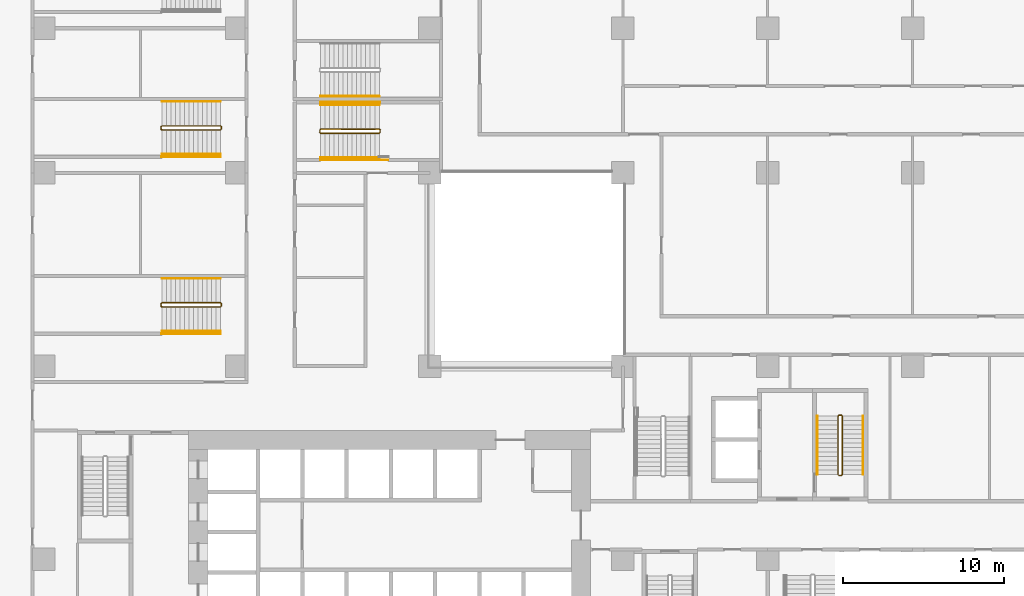
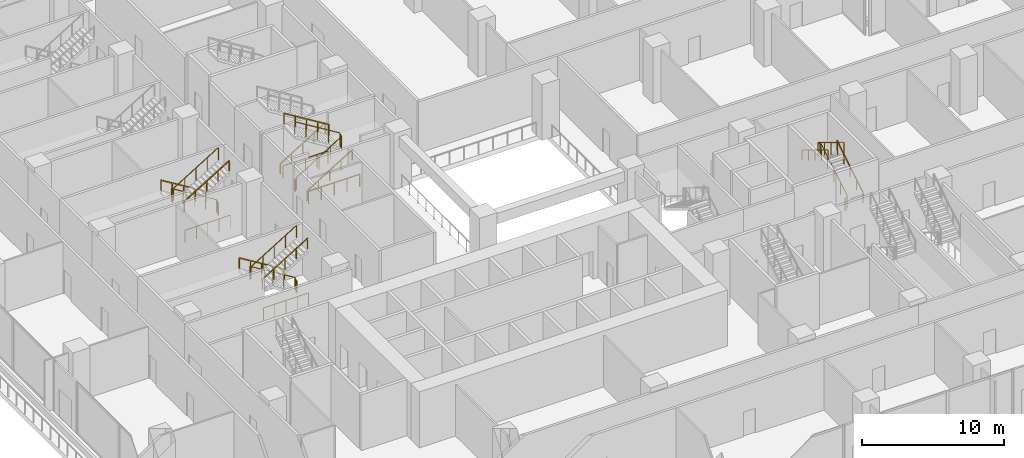
# One storey, part 25 of 31: 17 railings.
"""IFC4 building model written with IfcOpenShell, lengths in metres."""

from ifc_helpers import new_model, si_unit, direction, frame, origin, origin_2d, place, context, subcontext, project, spatial, rectangle, extrude, material, type_object, element, save


model = new_model("IFC4")

# Units and contexts
model_context = context("Model", 3, precision=1e-05, world=origin(), true_north=direction((0.0, 1.0)))
body_context = subcontext(model_context, "Body", "Model", "MODEL_VIEW")
ifc_project = project(units=[si_unit("LENGTHUNIT", "METRE"), si_unit("AREAUNIT", "SQUARE_METRE"), si_unit("VOLUMEUNIT", "CUBIC_METRE"), si_unit("PLANEANGLEUNIT", "RADIAN"), si_unit("MASSUNIT", "GRAM", prefix="KILO")], contexts=[model_context])

# Site, building, storey
site_placement = place(None, origin())
site = spatial("IfcSite", under=ifc_project, at=site_placement, CompositionType="ELEMENT")
building_placement = place(site_placement, origin())
building = spatial("IfcBuilding", under=site, at=building_placement, Name="Chenar Terraces", CompositionType="ELEMENT")
storey_placement = place(building_placement, frame((0.0, 0.0, 12.0)))
storey = spatial("IfcBuildingStorey", under=building, at=storey_placement, Name="L02", CompositionType="ELEMENT", Elevation=12.0)

# Railings
ifc_material_1 = material(Name="Powder-coated steel", Category="steel")
railing_type_1 = type_object("IfcRailingType", Name="Stair guard 1100", PredefinedType="GUARDRAIL", material=ifc_material_1)
railing_1_placement = place(storey_placement, frame((49.375, 17.25, 4.800048828125)))
element("IfcRailing", 1, at=railing_1_placement, inside=storey, type_object=railing_type_1, Name="L02 ST3 stair guard 1", PredefinedType="GUARDRAIL", context=body_context, shape_type="SweptSolid", body=[
    extrude(rectangle(XDim=0.048095703125, YDim=0.048095703125, at=origin_2d()), frame((0.0, 0.0, 1.076171875), z_axis=(0.0, 0.852850264322, -0.5221555579), x_axis=(-1.0, 0.0, 0.0)), (0.0, 0.0, 1.0), 4.267822265625),
    extrude(rectangle(XDim=0.048095703125, YDim=0.048095703125, at=origin_2d()), frame((0.0, 3.639892578125, -1.15234375), z_axis=(0.269583098496, 0.269583098496, -0.924472771914), x_axis=(-0.707106781187, 0.707106781187, 0.0)), (0.0, 0.0, 1.0), 0.185546875),
    extrude(rectangle(XDim=0.048095703125, YDim=0.048095703125, at=origin_2d()), frame((0.050048828125, 3.68994140625, -1.32421875), z_axis=(1.0, 0.0, 0.0), x_axis=(0.0, 1.0, 0.0)), (0.0, 0.0, 1.0), 0.14990234375),
    extrude(rectangle(XDim=0.048095703125, YDim=0.048095703125, at=origin_2d()), frame((0.199951171875, 3.68994140625, -1.32421875), z_axis=(0.707106781187, -0.707106781187, 0.0), x_axis=(0.707106781187, 0.707106781187, 0.0)), (0.0, 0.0, 1.0), 0.07080078125),
    extrude(rectangle(XDim=0.048095703125, YDim=0.048095703125, at=origin_2d()), frame((0.25, 3.639892578125, -1.32421875), z_axis=(0.0, -0.852850264322, -0.5221555579), x_axis=(1.0, 0.0, 0.0)), (0.0, 0.0, 1.0), 4.267822265625),
    extrude(rectangle(XDim=0.048095703125, YDim=0.048095703125, at=origin_2d()), frame((0.25, 0.0, -3.552734375), z_axis=(-0.269911200495, -0.269911200495, -0.924281281696), x_axis=(0.707106781187, -0.707106781187, 0.0)), (0.0, 0.0, 1.0), 0.185546875),
    extrude(rectangle(XDim=0.048095703125, YDim=0.048095703125, at=origin_2d()), frame((0.199951171875, -0.050048828125, -3.72412109375), z_axis=(-1.0, 0.0, 0.0), x_axis=(0.0, -1.0, 0.0)), (0.0, 0.0, 1.0), 0.14990234375),
    extrude(rectangle(XDim=0.0419921875, YDim=0.0419921875, at=origin_2d()), origin(), (0.0, 0.0, 1.0), 1.052001953125),
    extrude(rectangle(XDim=0.0419921875, YDim=0.0419921875, at=origin_2d()), frame((0.0, 0.909912109375, -0.55712890625)), (0.0, 0.0, 1.0), 1.052001953125),
    extrude(rectangle(XDim=0.0419921875, YDim=0.0419921875, at=origin_2d()), frame((0.0, 1.81982421875, -1.1142578125)), (0.0, 0.0, 1.0), 1.052001953125),
    extrude(rectangle(XDim=0.0419921875, YDim=0.0419921875, at=origin_2d()), frame((0.0, 2.72998046875, -1.67138671875)), (0.0, 0.0, 1.0), 1.052001953125),
    extrude(rectangle(XDim=0.0419921875, YDim=0.0419921875, at=origin_2d()), frame((0.0, 3.639892578125, -2.228515625)), (0.0, 0.0, 1.0), 1.052001953125),
    extrude(rectangle(XDim=0.0419921875, YDim=0.0419921875, at=origin_2d()), frame((0.050048828125, 3.68994140625, -2.400146484375)), (0.0, 0.0, 1.0), 1.052001953125),
    extrude(rectangle(XDim=0.0419921875, YDim=0.0419921875, at=origin_2d()), frame((0.199951171875, 3.68994140625, -2.400146484375)), (0.0, 0.0, 1.0), 1.052001953125),
    extrude(rectangle(XDim=0.0419921875, YDim=0.0419921875, at=origin_2d()), frame((0.25, 3.639892578125, -2.400146484375)), (0.0, 0.0, 1.0), 1.052001953125),
    extrude(rectangle(XDim=0.0419921875, YDim=0.0419921875, at=origin_2d()), frame((0.25, 2.72998046875, -2.957275390625)), (0.0, 0.0, 1.0), 1.052001953125),
    extrude(rectangle(XDim=0.0419921875, YDim=0.0419921875, at=origin_2d()), frame((0.25, 1.81982421875, -3.514404296875)), (0.0, 0.0, 1.0), 1.052001953125),
    extrude(rectangle(XDim=0.0419921875, YDim=0.0419921875, at=origin_2d()), frame((0.25, 0.909912109375, -4.071533203125)), (0.0, 0.0, 1.0), 1.052001953125),
    extrude(rectangle(XDim=0.0419921875, YDim=0.0419921875, at=origin_2d()), frame((0.25, 0.0, -4.628662109375)), (0.0, 0.0, 1.0), 1.052001953125),
    extrude(rectangle(XDim=0.0419921875, YDim=0.0419921875, at=origin_2d()), frame((0.199951171875, -0.050048828125, -4.800048828125)), (0.0, 0.0, 1.0), 1.052001953125),
    extrude(rectangle(XDim=0.0419921875, YDim=0.0419921875, at=origin_2d()), frame((0.050048828125, -0.050048828125, -4.800048828125)), (0.0, 0.0, 1.0), 1.052001953125),
])
railing_2_placement = place(storey_placement, frame((10.985107421875, 27.675048828125, 4.800048828125)))
element("IfcRailing", 2, at=railing_2_placement, inside=storey, type_object=railing_type_1, Name="L02 PS5 stair guard 1", PredefinedType="GUARDRAIL", context=body_context, shape_type="SweptSolid", body=[
    extrude(rectangle(XDim=0.048095703125, YDim=0.048095703125, at=origin_2d()), frame((0.0, 0.0, 1.076171875), z_axis=(-0.852865859571, 0.0, -0.52213008492), x_axis=(0.0, -1.0, 0.0)), (0.0, 0.0, 1.0), 4.26806640625),
    extrude(rectangle(XDim=0.048095703125, YDim=0.048095703125, at=origin_2d()), frame((-3.64013671875, 0.0, -1.15234375), z_axis=(-0.269583098496, 0.269583098496, -0.924472771914), x_axis=(-0.707106781187, -0.707106781187, 0.0)), (0.0, 0.0, 1.0), 0.185546875),
    extrude(rectangle(XDim=0.048095703125, YDim=0.048095703125, at=origin_2d()), frame((-3.690185546875, 0.050048828125, -1.32421875), z_axis=(0.0, 1.0, 0.0), x_axis=(-1.0, 0.0, 0.0)), (0.0, 0.0, 1.0), 0.14990234375),
    extrude(rectangle(XDim=0.048095703125, YDim=0.048095703125, at=origin_2d()), frame((-3.690185546875, 0.199951171875, -1.32421875), z_axis=(0.707106781187, 0.707106781187, 0.0), x_axis=(-0.707106781187, 0.707106781187, 0.0)), (0.0, 0.0, 1.0), 0.07080078125),
    extrude(rectangle(XDim=0.048095703125, YDim=0.048095703125, at=origin_2d()), frame((-3.64013671875, 0.25, -1.32421875), z_axis=(0.852865859571, 0.0, -0.52213008492), x_axis=(0.0, 1.0, 0.0)), (0.0, 0.0, 1.0), 4.26806640625),
    extrude(rectangle(XDim=0.048095703125, YDim=0.048095703125, at=origin_2d()), frame((0.0, 0.25, -3.552734375), z_axis=(0.268689830376, -0.270006937388, -0.924609122178), x_axis=(0.708833529934, 0.705375805398, 0.0)), (0.0, 0.0, 1.0), 0.185302734375),
    extrude(rectangle(XDim=0.048095703125, YDim=0.048095703125, at=origin_2d()), frame((0.0498046875, 0.199951171875, -3.72412109375), z_axis=(0.0, -1.0, 0.0), x_axis=(1.0, 0.0, 0.0)), (0.0, 0.0, 1.0), 0.14990234375),
    extrude(rectangle(XDim=0.0419921875, YDim=0.0419921875, at=origin_2d()), origin(), (0.0, 0.0, 1.0), 1.052001953125),
    extrude(rectangle(XDim=0.0419921875, YDim=0.0419921875, at=origin_2d()), frame((-0.91015625, 0.0, -0.55712890625)), (0.0, 0.0, 1.0), 1.052001953125),
    extrude(rectangle(XDim=0.0419921875, YDim=0.0419921875, at=origin_2d()), frame((-1.820068359375, 0.0, -1.1142578125)), (0.0, 0.0, 1.0), 1.052001953125),
    extrude(rectangle(XDim=0.0419921875, YDim=0.0419921875, at=origin_2d()), frame((-2.72998046875, 0.0, -1.67138671875)), (0.0, 0.0, 1.0), 1.052001953125),
    extrude(rectangle(XDim=0.0419921875, YDim=0.0419921875, at=origin_2d()), frame((-3.64013671875, 0.0, -2.228515625)), (0.0, 0.0, 1.0), 1.052001953125),
    extrude(rectangle(XDim=0.0419921875, YDim=0.0419921875, at=origin_2d()), frame((-3.690185546875, 0.050048828125, -2.400146484375)), (0.0, 0.0, 1.0), 1.052001953125),
    extrude(rectangle(XDim=0.0419921875, YDim=0.0419921875, at=origin_2d()), frame((-3.690185546875, 0.199951171875, -2.400146484375)), (0.0, 0.0, 1.0), 1.052001953125),
    extrude(rectangle(XDim=0.0419921875, YDim=0.0419921875, at=origin_2d()), frame((-3.64013671875, 0.25, -2.400146484375)), (0.0, 0.0, 1.0), 1.052001953125),
    extrude(rectangle(XDim=0.0419921875, YDim=0.0419921875, at=origin_2d()), frame((-2.72998046875, 0.25, -2.957275390625)), (0.0, 0.0, 1.0), 1.052001953125),
    extrude(rectangle(XDim=0.0419921875, YDim=0.0419921875, at=origin_2d()), frame((-1.820068359375, 0.25, -3.514404296875)), (0.0, 0.0, 1.0), 1.052001953125),
    extrude(rectangle(XDim=0.0419921875, YDim=0.0419921875, at=origin_2d()), frame((-0.91015625, 0.25, -4.071533203125)), (0.0, 0.0, 1.0), 1.052001953125),
    extrude(rectangle(XDim=0.0419921875, YDim=0.0419921875, at=origin_2d()), frame((0.0, 0.25, -4.628662109375)), (0.0, 0.0, 1.0), 1.052001953125),
    extrude(rectangle(XDim=0.0419921875, YDim=0.0419921875, at=origin_2d()), frame((0.0498046875, 0.199951171875, -4.800048828125)), (0.0, 0.0, 1.0), 1.052001953125),
    extrude(rectangle(XDim=0.0419921875, YDim=0.0419921875, at=origin_2d()), frame((0.0498046875, 0.050048828125, -4.800048828125)), (0.0, 0.0, 1.0), 1.052001953125),
])
railing_3_placement = place(storey_placement, frame((17.215087890625, 38.72509765625, 4.800048828125)))
element("IfcRailing", 3, at=railing_3_placement, inside=storey, type_object=railing_type_1, Name="L02 PS7 stair guard 1", PredefinedType="GUARDRAIL", context=body_context, shape_type="SweptSolid", body=[
    extrude(rectangle(XDim=0.048095703125, YDim=0.048095703125, at=origin_2d()), frame((0.0, 0.0, 1.076171875), z_axis=(0.852850264322, 0.0, -0.5221555579), x_axis=(0.0, 1.0, 0.0)), (0.0, 0.0, 1.0), 4.267822265625),
    extrude(rectangle(XDim=0.048095703125, YDim=0.048095703125, at=origin_2d()), frame((3.639892578125, 0.0, -1.15234375), z_axis=(0.269583098496, -0.269583098496, -0.924472771914), x_axis=(0.707106781187, 0.707106781187, 0.0)), (0.0, 0.0, 1.0), 0.185546875),
    extrude(rectangle(XDim=0.048095703125, YDim=0.048095703125, at=origin_2d()), frame((3.68994140625, -0.050048828125, -1.32421875), z_axis=(0.0, -1.0, 0.0), x_axis=(1.0, 0.0, 0.0)), (0.0, 0.0, 1.0), 0.150146484375),
    extrude(rectangle(XDim=0.048095703125, YDim=0.048095703125, at=origin_2d()), frame((3.68994140625, -0.2001953125, -1.32421875), z_axis=(-0.708833529934, -0.705375805398, 0.0), x_axis=(0.705375805398, -0.708833529934, 0.0)), (0.0, 0.0, 1.0), 0.070556640625),
    extrude(rectangle(XDim=0.048095703125, YDim=0.048095703125, at=origin_2d()), frame((3.639892578125, -0.25, -1.32421875), z_axis=(-0.852850264322, 0.0, -0.5221555579), x_axis=(0.0, -1.0, 0.0)), (0.0, 0.0, 1.0), 4.267822265625),
    extrude(rectangle(XDim=0.048095703125, YDim=0.048095703125, at=origin_2d()), frame((0.0, -0.25, -3.552734375), z_axis=(-0.270006937388, 0.268689830376, -0.924609122178), x_axis=(-0.705375805398, -0.708833529934, 0.0)), (0.0, 0.0, 1.0), 0.185302734375),
    extrude(rectangle(XDim=0.048095703125, YDim=0.048095703125, at=origin_2d()), frame((-0.050048828125, -0.2001953125, -3.72412109375), z_axis=(0.0, 1.0, 0.0), x_axis=(-1.0, 0.0, 0.0)), (0.0, 0.0, 1.0), 0.150146484375),
    extrude(rectangle(XDim=0.0419921875, YDim=0.0419921875, at=origin_2d()), origin(), (0.0, 0.0, 1.0), 1.052001953125),
    extrude(rectangle(XDim=0.0419921875, YDim=0.0419921875, at=origin_2d()), frame((0.909912109375, 0.0, -0.55712890625)), (0.0, 0.0, 1.0), 1.052001953125),
    extrude(rectangle(XDim=0.0419921875, YDim=0.0419921875, at=origin_2d()), frame((1.81982421875, 0.0, -1.1142578125)), (0.0, 0.0, 1.0), 1.052001953125),
    extrude(rectangle(XDim=0.0419921875, YDim=0.0419921875, at=origin_2d()), frame((2.72998046875, 0.0, -1.67138671875)), (0.0, 0.0, 1.0), 1.052001953125),
    extrude(rectangle(XDim=0.0419921875, YDim=0.0419921875, at=origin_2d()), frame((3.639892578125, 0.0, -2.228515625)), (0.0, 0.0, 1.0), 1.052001953125),
    extrude(rectangle(XDim=0.0419921875, YDim=0.0419921875, at=origin_2d()), frame((3.68994140625, -0.050048828125, -2.400146484375)), (0.0, 0.0, 1.0), 1.052001953125),
    extrude(rectangle(XDim=0.0419921875, YDim=0.0419921875, at=origin_2d()), frame((3.68994140625, -0.2001953125, -2.400146484375)), (0.0, 0.0, 1.0), 1.052001953125),
    extrude(rectangle(XDim=0.0419921875, YDim=0.0419921875, at=origin_2d()), frame((3.639892578125, -0.25, -2.400146484375)), (0.0, 0.0, 1.0), 1.052001953125),
    extrude(rectangle(XDim=0.0419921875, YDim=0.0419921875, at=origin_2d()), frame((2.72998046875, -0.25, -2.957275390625)), (0.0, 0.0, 1.0), 1.052001953125),
    extrude(rectangle(XDim=0.0419921875, YDim=0.0419921875, at=origin_2d()), frame((1.81982421875, -0.25, -3.514404296875)), (0.0, 0.0, 1.0), 1.052001953125),
    extrude(rectangle(XDim=0.0419921875, YDim=0.0419921875, at=origin_2d()), frame((0.909912109375, -0.25, -4.071533203125)), (0.0, 0.0, 1.0), 1.052001953125),
    extrude(rectangle(XDim=0.0419921875, YDim=0.0419921875, at=origin_2d()), frame((0.0, -0.25, -4.628662109375)), (0.0, 0.0, 1.0), 1.052001953125),
    extrude(rectangle(XDim=0.0419921875, YDim=0.0419921875, at=origin_2d()), frame((-0.050048828125, -0.2001953125, -4.800048828125)), (0.0, 0.0, 1.0), 1.052001953125),
    extrude(rectangle(XDim=0.0419921875, YDim=0.0419921875, at=origin_2d()), frame((-0.050048828125, -0.050048828125, -4.800048828125)), (0.0, 0.0, 1.0), 1.052001953125),
])
railing_4_placement = place(storey_placement, frame((10.985107421875, 38.675048828125, 4.800048828125)))
element("IfcRailing", 4, at=railing_4_placement, inside=storey, type_object=railing_type_1, Name="L02 PS9 stair guard 1", PredefinedType="GUARDRAIL", context=body_context, shape_type="SweptSolid", body=[
    extrude(rectangle(XDim=0.048095703125, YDim=0.048095703125, at=origin_2d()), frame((0.0, 0.0, 1.076171875), z_axis=(-0.852865859571, 0.0, -0.52213008492), x_axis=(0.0, -1.0, 0.0)), (0.0, 0.0, 1.0), 4.26806640625),
    extrude(rectangle(XDim=0.048095703125, YDim=0.048095703125, at=origin_2d()), frame((-3.64013671875, 0.0, -1.15234375), z_axis=(-0.269583098496, 0.269583098496, -0.924472771914), x_axis=(-0.707106781187, -0.707106781187, 0.0)), (0.0, 0.0, 1.0), 0.185546875),
    extrude(rectangle(XDim=0.048095703125, YDim=0.048095703125, at=origin_2d()), frame((-3.690185546875, 0.050048828125, -1.32421875), z_axis=(0.0, 1.0, 0.0), x_axis=(-1.0, 0.0, 0.0)), (0.0, 0.0, 1.0), 0.14990234375),
    extrude(rectangle(XDim=0.048095703125, YDim=0.048095703125, at=origin_2d()), frame((-3.690185546875, 0.199951171875, -1.32421875), z_axis=(0.707106781187, 0.707106781187, 0.0), x_axis=(-0.707106781187, 0.707106781187, 0.0)), (0.0, 0.0, 1.0), 0.07080078125),
    extrude(rectangle(XDim=0.048095703125, YDim=0.048095703125, at=origin_2d()), frame((-3.64013671875, 0.25, -1.32421875), z_axis=(0.852865859571, 0.0, -0.52213008492), x_axis=(0.0, 1.0, 0.0)), (0.0, 0.0, 1.0), 4.26806640625),
    extrude(rectangle(XDim=0.048095703125, YDim=0.048095703125, at=origin_2d()), frame((0.0, 0.25, -3.552734375), z_axis=(0.268689830376, -0.270006937388, -0.924609122178), x_axis=(0.708833529934, 0.705375805398, 0.0)), (0.0, 0.0, 1.0), 0.185302734375),
    extrude(rectangle(XDim=0.048095703125, YDim=0.048095703125, at=origin_2d()), frame((0.0498046875, 0.199951171875, -3.72412109375), z_axis=(0.0, -1.0, 0.0), x_axis=(1.0, 0.0, 0.0)), (0.0, 0.0, 1.0), 0.14990234375),
    extrude(rectangle(XDim=0.0419921875, YDim=0.0419921875, at=origin_2d()), origin(), (0.0, 0.0, 1.0), 1.052001953125),
    extrude(rectangle(XDim=0.0419921875, YDim=0.0419921875, at=origin_2d()), frame((-0.91015625, 0.0, -0.55712890625)), (0.0, 0.0, 1.0), 1.052001953125),
    extrude(rectangle(XDim=0.0419921875, YDim=0.0419921875, at=origin_2d()), frame((-1.820068359375, 0.0, -1.1142578125)), (0.0, 0.0, 1.0), 1.052001953125),
    extrude(rectangle(XDim=0.0419921875, YDim=0.0419921875, at=origin_2d()), frame((-2.72998046875, 0.0, -1.67138671875)), (0.0, 0.0, 1.0), 1.052001953125),
    extrude(rectangle(XDim=0.0419921875, YDim=0.0419921875, at=origin_2d()), frame((-3.64013671875, 0.0, -2.228515625)), (0.0, 0.0, 1.0), 1.052001953125),
    extrude(rectangle(XDim=0.0419921875, YDim=0.0419921875, at=origin_2d()), frame((-3.690185546875, 0.050048828125, -2.400146484375)), (0.0, 0.0, 1.0), 1.052001953125),
    extrude(rectangle(XDim=0.0419921875, YDim=0.0419921875, at=origin_2d()), frame((-3.690185546875, 0.199951171875, -2.400146484375)), (0.0, 0.0, 1.0), 1.052001953125),
    extrude(rectangle(XDim=0.0419921875, YDim=0.0419921875, at=origin_2d()), frame((-3.64013671875, 0.25, -2.400146484375)), (0.0, 0.0, 1.0), 1.052001953125),
    extrude(rectangle(XDim=0.0419921875, YDim=0.0419921875, at=origin_2d()), frame((-2.72998046875, 0.25, -2.957275390625)), (0.0, 0.0, 1.0), 1.052001953125),
    extrude(rectangle(XDim=0.0419921875, YDim=0.0419921875, at=origin_2d()), frame((-1.820068359375, 0.25, -3.514404296875)), (0.0, 0.0, 1.0), 1.052001953125),
    extrude(rectangle(XDim=0.0419921875, YDim=0.0419921875, at=origin_2d()), frame((-0.91015625, 0.25, -4.071533203125)), (0.0, 0.0, 1.0), 1.052001953125),
    extrude(rectangle(XDim=0.0419921875, YDim=0.0419921875, at=origin_2d()), frame((0.0, 0.25, -4.628662109375)), (0.0, 0.0, 1.0), 1.052001953125),
    extrude(rectangle(XDim=0.0419921875, YDim=0.0419921875, at=origin_2d()), frame((0.0498046875, 0.199951171875, -4.800048828125)), (0.0, 0.0, 1.0), 1.052001953125),
    extrude(rectangle(XDim=0.0419921875, YDim=0.0419921875, at=origin_2d()), frame((0.0498046875, 0.050048828125, -4.800048828125)), (0.0, 0.0, 1.0), 1.052001953125),
])
railing_5_placement = place(storey_placement, frame((7.32421875, 26.010009765625, 0.0)))
element("IfcRailing", 5, at=railing_5_placement, inside=storey, type_object=railing_type_1, Name="L02 PS5 stair guard 101", PredefinedType="GUARDRAIL", context=body_context, shape_type="SweptSolid", body=[
    extrude(rectangle(XDim=0.048095703125, YDim=0.048095703125, at=origin_2d()), frame((0.0, 0.0, 1.076171875), z_axis=(1.0, 0.0, 0.0), x_axis=(0.0, 1.0, 0.0)), (0.0, 0.0, 1.0), 3.660888671875),
    extrude(rectangle(XDim=0.0419921875, YDim=0.0419921875, at=origin_2d()), origin(), (0.0, 0.0, 1.0), 1.052001953125),
    extrude(rectangle(XDim=0.0419921875, YDim=0.0419921875, at=origin_2d()), frame((0.915283203125, 0.0, 0.0)), (0.0, 0.0, 1.0), 1.052001953125),
    extrude(rectangle(XDim=0.0419921875, YDim=0.0419921875, at=origin_2d()), frame((1.83056640625, 0.0, 0.0)), (0.0, 0.0, 1.0), 1.052001953125),
    extrude(rectangle(XDim=0.0419921875, YDim=0.0419921875, at=origin_2d()), frame((2.74560546875, 0.0, 0.0)), (0.0, 0.0, 1.0), 1.052001953125),
    extrude(rectangle(XDim=0.0419921875, YDim=0.0419921875, at=origin_2d()), frame((3.660888671875, 0.0, 0.0)), (0.0, 0.0, 1.0), 1.052001953125),
])
railing_6_placement = place(storey_placement, frame((17.215087890625, 36.81005859375, 0.0)))
element("IfcRailing", 6, at=railing_6_placement, inside=storey, type_object=railing_type_1, Name="L02 PS7 stair guard 101", PredefinedType="GUARDRAIL", context=body_context, shape_type="SweptSolid", body=[
    extrude(rectangle(XDim=0.048095703125, YDim=0.048095703125, at=origin_2d()), frame((0.0, 0.0, 1.076171875), z_axis=(1.0, 0.0, 0.0), x_axis=(0.0, 1.0, 0.0)), (0.0, 0.0, 1.0), 4.169189453125),
    extrude(rectangle(XDim=0.0419921875, YDim=0.0419921875, at=origin_2d()), origin(), (0.0, 0.0, 1.0), 1.052001953125),
    extrude(rectangle(XDim=0.0419921875, YDim=0.0419921875, at=origin_2d()), frame((1.042236328125, 0.0, 0.0)), (0.0, 0.0, 1.0), 1.052001953125),
    extrude(rectangle(XDim=0.0419921875, YDim=0.0419921875, at=origin_2d()), frame((2.08447265625, 0.0, 0.0)), (0.0, 0.0, 1.0), 1.052001953125),
    extrude(rectangle(XDim=0.0419921875, YDim=0.0419921875, at=origin_2d()), frame((3.126953125, 0.0, 0.0)), (0.0, 0.0, 1.0), 1.052001953125),
    extrude(rectangle(XDim=0.0419921875, YDim=0.0419921875, at=origin_2d()), frame((4.169189453125, 0.0, 0.0)), (0.0, 0.0, 1.0), 1.052001953125),
])
railing_7_placement = place(storey_placement, frame((20.8818359375, 40.389892578125, 0.0)))
element("IfcRailing", 7, at=railing_7_placement, inside=storey, type_object=railing_type_1, Name="L02 PS7 stair guard 102", PredefinedType="GUARDRAIL", context=body_context, shape_type="SweptSolid", body=[
    extrude(rectangle(XDim=0.048095703125, YDim=0.048095703125, at=origin_2d()), frame((0.0, 0.0, 1.076171875), z_axis=(-1.0, 0.0, 0.0), x_axis=(0.0, -1.0, 0.0)), (0.0, 0.0, 1.0), 3.666748046875),
    extrude(rectangle(XDim=0.0419921875, YDim=0.0419921875, at=origin_2d()), origin(), (0.0, 0.0, 1.0), 1.052001953125),
    extrude(rectangle(XDim=0.0419921875, YDim=0.0419921875, at=origin_2d()), frame((-0.916748046875, 0.0, 0.0)), (0.0, 0.0, 1.0), 1.052001953125),
    extrude(rectangle(XDim=0.0419921875, YDim=0.0419921875, at=origin_2d()), frame((-1.83349609375, 0.0, 0.0)), (0.0, 0.0, 1.0), 1.052001953125),
    extrude(rectangle(XDim=0.0419921875, YDim=0.0419921875, at=origin_2d()), frame((-2.75, 0.0, 0.0)), (0.0, 0.0, 1.0), 1.052001953125),
    extrude(rectangle(XDim=0.0419921875, YDim=0.0419921875, at=origin_2d()), frame((-3.666748046875, 0.0, 0.0)), (0.0, 0.0, 1.0), 1.052001953125),
])
railing_8_placement = place(storey_placement, frame((7.32421875, 37.010009765625, 0.0)))
element("IfcRailing", 8, at=railing_8_placement, inside=storey, type_object=railing_type_1, Name="L02 PS9 stair guard 101", PredefinedType="GUARDRAIL", context=body_context, shape_type="SweptSolid", body=[
    extrude(rectangle(XDim=0.048095703125, YDim=0.048095703125, at=origin_2d()), frame((0.0, 0.0, 1.076171875), z_axis=(1.0, 0.0, 0.0), x_axis=(0.0, 1.0, 0.0)), (0.0, 0.0, 1.0), 3.660888671875),
    extrude(rectangle(XDim=0.0419921875, YDim=0.0419921875, at=origin_2d()), origin(), (0.0, 0.0, 1.0), 1.052001953125),
    extrude(rectangle(XDim=0.0419921875, YDim=0.0419921875, at=origin_2d()), frame((0.915283203125, 0.0, 0.0)), (0.0, 0.0, 1.0), 1.052001953125),
    extrude(rectangle(XDim=0.0419921875, YDim=0.0419921875, at=origin_2d()), frame((1.83056640625, 0.0, 0.0)), (0.0, 0.0, 1.0), 1.052001953125),
    extrude(rectangle(XDim=0.0419921875, YDim=0.0419921875, at=origin_2d()), frame((2.74560546875, 0.0, 0.0)), (0.0, 0.0, 1.0), 1.052001953125),
    extrude(rectangle(XDim=0.0419921875, YDim=0.0419921875, at=origin_2d()), frame((3.660888671875, 0.0, 0.0)), (0.0, 0.0, 1.0), 1.052001953125),
])
ifc_material_2 = material(Name="Powder-coated steel", Category="steel")
railing_type_2 = type_object("IfcRailingType", Name="Stair handrail 900", PredefinedType="HANDRAIL", material=ifc_material_2)
railing_9_placement = place(storey_placement, frame((50.925048828125, 17.25, 0.17138671875)))
element("IfcRailing", 9, at=railing_9_placement, inside=storey, type_object=railing_type_2, Name="L02 ST3 stair handrail 1", PredefinedType="HANDRAIL", context=body_context, shape_type="SweptSolid", body=[
    extrude(rectangle(XDim=0.048095703125, YDim=0.048095703125, at=origin_2d()), frame((0.0, 0.0, 0.8759765625), z_axis=(0.0, 0.852850264322, 0.5221555579), x_axis=(-1.0, 0.0, 0.0)), (0.0, 0.0, 1.0), 4.267822265625),
    extrude(rectangle(XDim=0.0419921875, YDim=0.0419921875, at=origin_2d()), origin(), (0.0, 0.0, 1.0), 0.851806640625),
    extrude(rectangle(XDim=0.0419921875, YDim=0.0419921875, at=origin_2d()), frame((0.0, 0.909912109375, 0.55712890625)), (0.0, 0.0, 1.0), 0.851806640625),
    extrude(rectangle(XDim=0.0419921875, YDim=0.0419921875, at=origin_2d()), frame((0.0, 1.81982421875, 1.1142578125)), (0.0, 0.0, 1.0), 0.851806640625),
    extrude(rectangle(XDim=0.0419921875, YDim=0.0419921875, at=origin_2d()), frame((0.0, 2.72998046875, 1.67138671875)), (0.0, 0.0, 1.0), 0.851806640625),
    extrude(rectangle(XDim=0.0419921875, YDim=0.0419921875, at=origin_2d()), frame((0.0, 3.639892578125, 2.228515625)), (0.0, 0.0, 1.0), 0.851806640625),
])
railing_10_placement = place(storey_placement, frame((48.074951171875, 20.889892578125, 2.571533203125)))
element("IfcRailing", 10, at=railing_10_placement, inside=storey, type_object=railing_type_2, Name="L02 ST3 stair handrail 2", PredefinedType="HANDRAIL", context=body_context, shape_type="SweptSolid", body=[
    extrude(rectangle(XDim=0.048095703125, YDim=0.048095703125, at=origin_2d()), frame((0.0, 0.0, 0.8759765625), z_axis=(0.0, -0.852850264322, 0.5221555579), x_axis=(1.0, 0.0, 0.0)), (0.0, 0.0, 1.0), 4.267822265625),
    extrude(rectangle(XDim=0.0419921875, YDim=0.0419921875, at=origin_2d()), origin(), (0.0, 0.0, 1.0), 0.851806640625),
    extrude(rectangle(XDim=0.0419921875, YDim=0.0419921875, at=origin_2d()), frame((0.0, -0.909912109375, 0.55712890625)), (0.0, 0.0, 1.0), 0.851806640625),
    extrude(rectangle(XDim=0.0419921875, YDim=0.0419921875, at=origin_2d()), frame((0.0, -1.81982421875, 1.1142578125)), (0.0, 0.0, 1.0), 0.851806640625),
    extrude(rectangle(XDim=0.0419921875, YDim=0.0419921875, at=origin_2d()), frame((0.0, -2.72998046875, 1.67138671875)), (0.0, 0.0, 1.0), 0.851806640625),
    extrude(rectangle(XDim=0.0419921875, YDim=0.0419921875, at=origin_2d()), frame((0.0, -3.639892578125, 2.228515625)), (0.0, 0.0, 1.0), 0.851806640625),
])
railing_11_placement = place(storey_placement, frame((10.985107421875, 29.43994140625, 0.17138671875)))
element("IfcRailing", 11, at=railing_11_placement, inside=storey, type_object=railing_type_2, Name="L02 PS5 stair handrail 1", PredefinedType="HANDRAIL", context=body_context, shape_type="SweptSolid", body=[
    extrude(rectangle(XDim=0.048095703125, YDim=0.048095703125, at=origin_2d()), frame((0.0, 0.0, 0.8759765625), z_axis=(-0.852865859571, 0.0, 0.52213008492), x_axis=(0.0, -1.0, 0.0)), (0.0, 0.0, 1.0), 4.26806640625),
    extrude(rectangle(XDim=0.0419921875, YDim=0.0419921875, at=origin_2d()), origin(), (0.0, 0.0, 1.0), 0.851806640625),
    extrude(rectangle(XDim=0.0419921875, YDim=0.0419921875, at=origin_2d()), frame((-0.91015625, 0.0, 0.55712890625)), (0.0, 0.0, 1.0), 0.851806640625),
    extrude(rectangle(XDim=0.0419921875, YDim=0.0419921875, at=origin_2d()), frame((-1.820068359375, 0.0, 1.1142578125)), (0.0, 0.0, 1.0), 0.851806640625),
    extrude(rectangle(XDim=0.0419921875, YDim=0.0419921875, at=origin_2d()), frame((-2.72998046875, 0.0, 1.67138671875)), (0.0, 0.0, 1.0), 0.851806640625),
    extrude(rectangle(XDim=0.0419921875, YDim=0.0419921875, at=origin_2d()), frame((-3.64013671875, 0.0, 2.228515625)), (0.0, 0.0, 1.0), 0.851806640625),
])
railing_12_placement = place(storey_placement, frame((7.344970703125, 26.159912109375, 2.571533203125)))
element("IfcRailing", 12, at=railing_12_placement, inside=storey, type_object=railing_type_2, Name="L02 PS5 stair handrail 2", PredefinedType="HANDRAIL", context=body_context, shape_type="SweptSolid", body=[
    extrude(rectangle(XDim=0.048095703125, YDim=0.048095703125, at=origin_2d()), frame((0.0, 0.0, 0.8759765625), z_axis=(0.852865859571, 0.0, 0.52213008492), x_axis=(0.0, 1.0, 0.0)), (0.0, 0.0, 1.0), 4.26806640625),
    extrude(rectangle(XDim=0.0419921875, YDim=0.0419921875, at=origin_2d()), origin(), (0.0, 0.0, 1.0), 0.851806640625),
    extrude(rectangle(XDim=0.0419921875, YDim=0.0419921875, at=origin_2d()), frame((0.91015625, 0.0, 0.55712890625)), (0.0, 0.0, 1.0), 0.851806640625),
    extrude(rectangle(XDim=0.0419921875, YDim=0.0419921875, at=origin_2d()), frame((1.820068359375, 0.0, 1.1142578125)), (0.0, 0.0, 1.0), 0.851806640625),
    extrude(rectangle(XDim=0.0419921875, YDim=0.0419921875, at=origin_2d()), frame((2.72998046875, 0.0, 1.67138671875)), (0.0, 0.0, 1.0), 0.851806640625),
    extrude(rectangle(XDim=0.0419921875, YDim=0.0419921875, at=origin_2d()), frame((3.64013671875, 0.0, 2.228515625)), (0.0, 0.0, 1.0), 0.851806640625),
])
railing_13_placement = place(storey_placement, frame((17.215087890625, 36.9599609375, 0.17138671875)))
element("IfcRailing", 13, at=railing_13_placement, inside=storey, type_object=railing_type_2, Name="L02 PS7 stair handrail 1", PredefinedType="HANDRAIL", context=body_context, shape_type="SweptSolid", body=[
    extrude(rectangle(XDim=0.048095703125, YDim=0.048095703125, at=origin_2d()), frame((0.0, 0.0, 0.8759765625), z_axis=(0.852850264322, 0.0, 0.5221555579), x_axis=(0.0, 1.0, 0.0)), (0.0, 0.0, 1.0), 4.267822265625),
    extrude(rectangle(XDim=0.0419921875, YDim=0.0419921875, at=origin_2d()), origin(), (0.0, 0.0, 1.0), 0.851806640625),
    extrude(rectangle(XDim=0.0419921875, YDim=0.0419921875, at=origin_2d()), frame((0.909912109375, 0.0, 0.55712890625)), (0.0, 0.0, 1.0), 0.851806640625),
    extrude(rectangle(XDim=0.0419921875, YDim=0.0419921875, at=origin_2d()), frame((1.81982421875, 0.0, 1.1142578125)), (0.0, 0.0, 1.0), 0.851806640625),
    extrude(rectangle(XDim=0.0419921875, YDim=0.0419921875, at=origin_2d()), frame((2.72998046875, 0.0, 1.67138671875)), (0.0, 0.0, 1.0), 0.851806640625),
    extrude(rectangle(XDim=0.0419921875, YDim=0.0419921875, at=origin_2d()), frame((3.639892578125, 0.0, 2.228515625)), (0.0, 0.0, 1.0), 0.851806640625),
])
railing_14_placement = place(storey_placement, frame((20.85498046875, 40.239990234375, 2.571533203125)))
element("IfcRailing", 14, at=railing_14_placement, inside=storey, type_object=railing_type_2, Name="L02 PS7 stair handrail 2", PredefinedType="HANDRAIL", context=body_context, shape_type="SweptSolid", body=[
    extrude(rectangle(XDim=0.048095703125, YDim=0.048095703125, at=origin_2d()), frame((0.0, 0.0, 0.8759765625), z_axis=(-0.852850264322, 0.0, 0.5221555579), x_axis=(0.0, -1.0, 0.0)), (0.0, 0.0, 1.0), 4.267822265625),
    extrude(rectangle(XDim=0.0419921875, YDim=0.0419921875, at=origin_2d()), origin(), (0.0, 0.0, 1.0), 0.851806640625),
    extrude(rectangle(XDim=0.0419921875, YDim=0.0419921875, at=origin_2d()), frame((-0.909912109375, 0.0, 0.55712890625)), (0.0, 0.0, 1.0), 0.851806640625),
    extrude(rectangle(XDim=0.0419921875, YDim=0.0419921875, at=origin_2d()), frame((-1.81982421875, 0.0, 1.1142578125)), (0.0, 0.0, 1.0), 0.851806640625),
    extrude(rectangle(XDim=0.0419921875, YDim=0.0419921875, at=origin_2d()), frame((-2.72998046875, 0.0, 1.67138671875)), (0.0, 0.0, 1.0), 0.851806640625),
    extrude(rectangle(XDim=0.0419921875, YDim=0.0419921875, at=origin_2d()), frame((-3.639892578125, 0.0, 2.228515625)), (0.0, 0.0, 1.0), 0.851806640625),
])
railing_15_placement = place(storey_placement, frame((17.215087890625, 40.760009765625, 0.17138671875)))
element("IfcRailing", 15, at=railing_15_placement, inside=storey, type_object=railing_type_2, Name="L02 PS8 stair handrail 1", PredefinedType="HANDRAIL", context=body_context, shape_type="SweptSolid", body=[
    extrude(rectangle(XDim=0.048095703125, YDim=0.048095703125, at=origin_2d()), frame((0.0, 0.0, 0.8759765625), z_axis=(0.852850264322, 0.0, 0.5221555579), x_axis=(0.0, 1.0, 0.0)), (0.0, 0.0, 1.0), 4.267822265625),
    extrude(rectangle(XDim=0.0419921875, YDim=0.0419921875, at=origin_2d()), origin(), (0.0, 0.0, 1.0), 0.851806640625),
    extrude(rectangle(XDim=0.0419921875, YDim=0.0419921875, at=origin_2d()), frame((0.909912109375, 0.0, 0.55712890625)), (0.0, 0.0, 1.0), 0.851806640625),
    extrude(rectangle(XDim=0.0419921875, YDim=0.0419921875, at=origin_2d()), frame((1.81982421875, 0.0, 1.1142578125)), (0.0, 0.0, 1.0), 0.851806640625),
    extrude(rectangle(XDim=0.0419921875, YDim=0.0419921875, at=origin_2d()), frame((2.72998046875, 0.0, 1.67138671875)), (0.0, 0.0, 1.0), 0.851806640625),
    extrude(rectangle(XDim=0.0419921875, YDim=0.0419921875, at=origin_2d()), frame((3.639892578125, 0.0, 2.228515625)), (0.0, 0.0, 1.0), 0.851806640625),
])
railing_16_placement = place(storey_placement, frame((10.985107421875, 40.43994140625, 0.17138671875)))
element("IfcRailing", 16, at=railing_16_placement, inside=storey, type_object=railing_type_2, Name="L02 PS9 stair handrail 1", PredefinedType="HANDRAIL", context=body_context, shape_type="SweptSolid", body=[
    extrude(rectangle(XDim=0.048095703125, YDim=0.048095703125, at=origin_2d()), frame((0.0, 0.0, 0.8759765625), z_axis=(-0.852865859571, 0.0, 0.52213008492), x_axis=(0.0, -1.0, 0.0)), (0.0, 0.0, 1.0), 4.26806640625),
    extrude(rectangle(XDim=0.0419921875, YDim=0.0419921875, at=origin_2d()), origin(), (0.0, 0.0, 1.0), 0.851806640625),
    extrude(rectangle(XDim=0.0419921875, YDim=0.0419921875, at=origin_2d()), frame((-0.91015625, 0.0, 0.55712890625)), (0.0, 0.0, 1.0), 0.851806640625),
    extrude(rectangle(XDim=0.0419921875, YDim=0.0419921875, at=origin_2d()), frame((-1.820068359375, 0.0, 1.1142578125)), (0.0, 0.0, 1.0), 0.851806640625),
    extrude(rectangle(XDim=0.0419921875, YDim=0.0419921875, at=origin_2d()), frame((-2.72998046875, 0.0, 1.67138671875)), (0.0, 0.0, 1.0), 0.851806640625),
    extrude(rectangle(XDim=0.0419921875, YDim=0.0419921875, at=origin_2d()), frame((-3.64013671875, 0.0, 2.228515625)), (0.0, 0.0, 1.0), 0.851806640625),
])
railing_17_placement = place(storey_placement, frame((7.344970703125, 37.159912109375, 2.571533203125)))
element("IfcRailing", 17, at=railing_17_placement, inside=storey, type_object=railing_type_2, Name="L02 PS9 stair handrail 2", PredefinedType="HANDRAIL", context=body_context, shape_type="SweptSolid", body=[
    extrude(rectangle(XDim=0.048095703125, YDim=0.048095703125, at=origin_2d()), frame((0.0, 0.0, 0.8759765625), z_axis=(0.852865859571, 0.0, 0.52213008492), x_axis=(0.0, 1.0, 0.0)), (0.0, 0.0, 1.0), 4.26806640625),
    extrude(rectangle(XDim=0.0419921875, YDim=0.0419921875, at=origin_2d()), origin(), (0.0, 0.0, 1.0), 0.851806640625),
    extrude(rectangle(XDim=0.0419921875, YDim=0.0419921875, at=origin_2d()), frame((0.91015625, 0.0, 0.55712890625)), (0.0, 0.0, 1.0), 0.851806640625),
    extrude(rectangle(XDim=0.0419921875, YDim=0.0419921875, at=origin_2d()), frame((1.820068359375, 0.0, 1.1142578125)), (0.0, 0.0, 1.0), 0.851806640625),
    extrude(rectangle(XDim=0.0419921875, YDim=0.0419921875, at=origin_2d()), frame((2.72998046875, 0.0, 1.67138671875)), (0.0, 0.0, 1.0), 0.851806640625),
    extrude(rectangle(XDim=0.0419921875, YDim=0.0419921875, at=origin_2d()), frame((3.64013671875, 0.0, 2.228515625)), (0.0, 0.0, 1.0), 0.851806640625),
])

save(model, "model.ifc")
